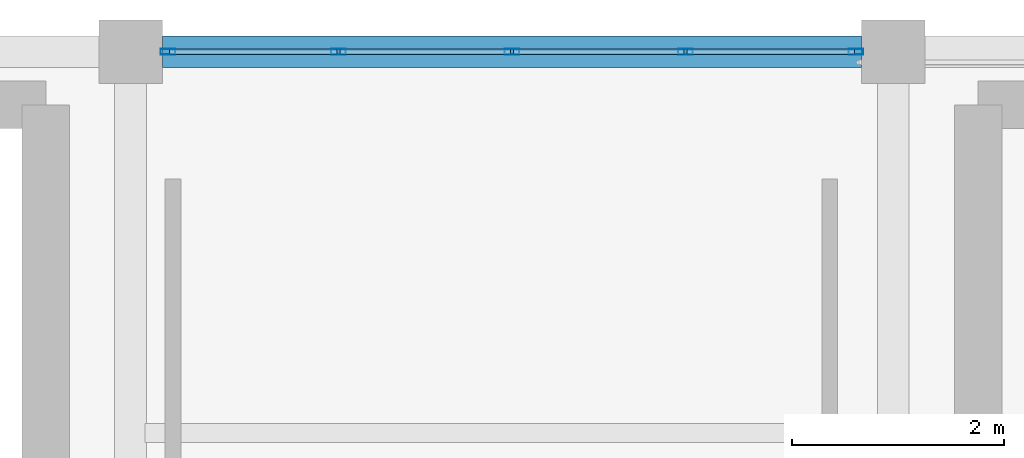
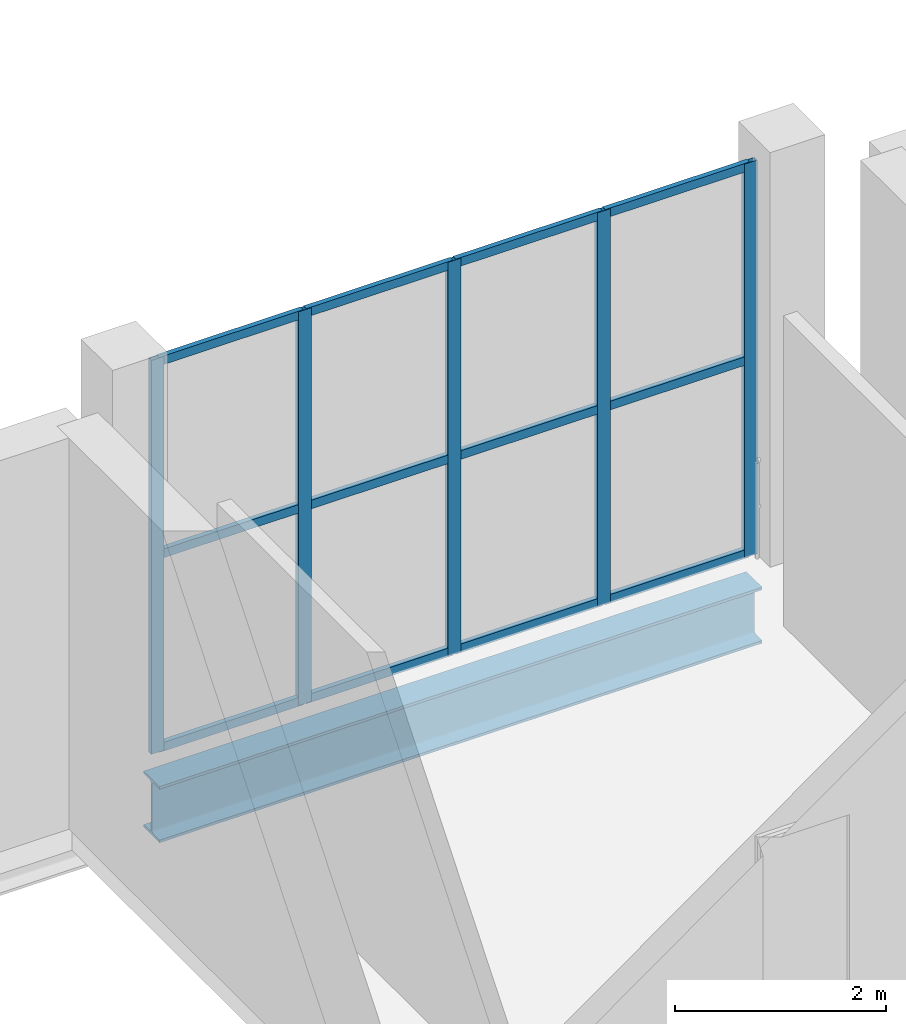
# One storey, part 69 of 105: 17 members, 1 beam, 1 element without a shape of its own.
"""IFC4 building model written with IfcOpenShell, lengths in metres."""

from ifc_helpers import new_model, si_unit, direction, frame, origin, origin_2d, place, context, subcontext, project, spatial, hollow_rectangle, i_section, extrude, material, material_profile, profile_set, type_object, element, aggregate, save


model = new_model("IFC4")

# Units and contexts
model_context = context("Model", 3, precision=1e-05, world=origin(), true_north=direction((0.0, 1.0)))
body_context = subcontext(model_context, "Body", "Model", "MODEL_VIEW")
ifc_project = project(units=[si_unit("LENGTHUNIT", "METRE"), si_unit("AREAUNIT", "SQUARE_METRE"), si_unit("VOLUMEUNIT", "CUBIC_METRE"), si_unit("PLANEANGLEUNIT", "RADIAN"), si_unit("MASSUNIT", "GRAM", prefix="KILO")], contexts=[model_context])

# Site, building, storey
site_placement = place(None, origin())
site = spatial("IfcSite", under=ifc_project, at=site_placement, CompositionType="ELEMENT")
building_placement = place(site_placement, origin())
building = spatial("IfcBuilding", under=site, at=building_placement, Name="Qandorah Velis Arena", CompositionType="ELEMENT")
storey_placement = place(building_placement, frame((0.0, 0.0, 13.800048828125)))
storey = spatial("IfcBuildingStorey", under=building, at=storey_placement, Name="L03", CompositionType="ELEMENT", Elevation=13.800048828125)

# Curtain wall, members
ifc_material_1 = material(Name="Solar-control low-E double glazing", Category="glass")
curtain_wall_type = type_object("IfcCurtainWallType", Name="ARC-CW-SYS16", PredefinedType="USERDEFINED", material=ifc_material_1)
curtain_wall_placement = place(storey_placement, origin())
curtain_wall = element("IfcCurtainWall", 1, at=curtain_wall_placement, inside=storey, type_object=curtain_wall_type, Name="Unitised curtain wall L03-088", ObjectType="UNITISED CURTAIN WALL", PredefinedType="USERDEFINED")
ifc_material_2 = material(Name="Champagne-bronze anodized aluminium 6063-T6", Category="aluminium")
ifc_material_profile_1 = material_profile(ifc_material_2, hollow_rectangle(XDim=0.054931640625, YDim=0.139892578125, WallThickness=0.0029296875, at=origin_2d()), Name="ALU MULLION 55x140")
ifc_profile_set_1 = profile_set([ifc_material_profile_1], Name="Champagne-bronze anodized aluminium 6063-T6")
member_type_1 = type_object("IfcMemberType", Name="ARC-CWM-140", PredefinedType="MULLION", material=ifc_profile_set_1)
member_1_placement = place(storey_placement, frame((43.552490234375, 129.60009765625, -0.01513671875), z_axis=(0.0, 0.0, 1.0), x_axis=(0.0, 1.0, 0.0)))
member_1 = element("IfcMember", 2, at=member_1_placement, type_object=member_type_1, Name="CW16 mullion 1", PredefinedType="MULLION", context=body_context, shape_type="SweptSolid", body=[
    extrude(hollow_rectangle(XDim=0.054931640625, YDim=0.139892578125, WallThickness=0.0029296875, at=origin_2d()), origin(), (0.0, 0.0, 1.0), 4.56005859375),
])
member_2_placement = place(storey_placement, frame((45.16259765625, 129.60009765625, -0.01513671875), z_axis=(0.0, 0.0, 1.0), x_axis=(0.0, 1.0, 0.0)))
member_2 = element("IfcMember", 3, at=member_2_placement, type_object=member_type_1, Name="CW16 mullion 2", PredefinedType="MULLION", context=body_context, shape_type="SweptSolid", body=[
    extrude(hollow_rectangle(XDim=0.054931640625, YDim=0.139892578125, WallThickness=0.0029296875, at=origin_2d()), origin(), (0.0, 0.0, 1.0), 4.56005859375),
])
member_3_placement = place(storey_placement, frame((46.800048828125, 129.60009765625, -0.01513671875), z_axis=(0.0, 0.0, 1.0), x_axis=(0.0, 1.0, 0.0)))
member_3 = element("IfcMember", 4, at=member_3_placement, type_object=member_type_1, Name="CW16 mullion 3", PredefinedType="MULLION", context=body_context, shape_type="SweptSolid", body=[
    extrude(hollow_rectangle(XDim=0.054931640625, YDim=0.139892578125, WallThickness=0.0029296875, at=origin_2d()), origin(), (0.0, 0.0, 1.0), 4.56005859375),
])
member_4_placement = place(storey_placement, frame((48.4375, 129.60009765625, -0.01513671875), z_axis=(0.0, 0.0, 1.0), x_axis=(0.0, 1.0, 0.0)))
member_4 = element("IfcMember", 5, at=member_4_placement, type_object=member_type_1, Name="CW16 mullion 4", PredefinedType="MULLION", context=body_context, shape_type="SweptSolid", body=[
    extrude(hollow_rectangle(XDim=0.054931640625, YDim=0.139892578125, WallThickness=0.0029296875, at=origin_2d()), origin(), (0.0, 0.0, 1.0), 4.56005859375),
])
member_5_placement = place(storey_placement, frame((50.047607421875, 129.60009765625, -0.01513671875), z_axis=(0.0, 0.0, 1.0), x_axis=(0.0, 1.0, 0.0)))
member_5 = element("IfcMember", 6, at=member_5_placement, type_object=member_type_1, Name="CW16 mullion 5", PredefinedType="MULLION", context=body_context, shape_type="SweptSolid", body=[
    extrude(hollow_rectangle(XDim=0.054931640625, YDim=0.139892578125, WallThickness=0.0029296875, at=origin_2d()), origin(), (0.0, 0.0, 1.0), 4.56005859375),
])
ifc_material_profile_2 = material_profile(ifc_material_2, hollow_rectangle(XDim=0.054931640625, YDim=0.10009765625, WallThickness=0.0029296875, at=origin_2d()), Name="ALU TRANSOM 55x100")
ifc_profile_set_2 = profile_set([ifc_material_profile_2], Name="Champagne-bronze anodized aluminium 6063-T6")
member_type_2 = type_object("IfcMemberType", Name="ARC-CWT-100", PredefinedType="USERDEFINED", material=ifc_profile_set_2)
member_6_placement = place(storey_placement, frame((43.568115234375, 129.60009765625, 0.02734375), z_axis=(1.0, 0.0, 0.0), x_axis=(0.0, 1.0, 0.0)))
member_6 = element("IfcMember", 7, at=member_6_placement, type_object=member_type_2, Name="CW16 transom 1.1", ObjectType="TRANSOM", PredefinedType="USERDEFINED", context=body_context, shape_type="SweptSolid", body=[
    extrude(hollow_rectangle(XDim=0.054931640625, YDim=0.10009765625, WallThickness=0.0029296875, at=origin_2d()), origin(), (0.0, 0.0, 1.0), 1.578857421875),
])
member_7_placement = place(storey_placement, frame((43.568115234375, 129.60009765625, 2.264892578125), z_axis=(1.0, 0.0, 0.0), x_axis=(0.0, 1.0, 0.0)))
member_7 = element("IfcMember", 8, at=member_7_placement, type_object=member_type_2, Name="CW16 transom 1.2", ObjectType="TRANSOM", PredefinedType="USERDEFINED", context=body_context, shape_type="SweptSolid", body=[
    extrude(hollow_rectangle(XDim=0.054931640625, YDim=0.10009765625, WallThickness=0.0029296875, at=origin_2d()), origin(), (0.0, 0.0, 1.0), 1.578857421875),
])
member_8_placement = place(storey_placement, frame((43.568115234375, 129.60009765625, 4.50244140625), z_axis=(1.0, 0.0, 0.0), x_axis=(0.0, 1.0, 0.0)))
member_8 = element("IfcMember", 9, at=member_8_placement, type_object=member_type_2, Name="CW16 transom 1.3", ObjectType="TRANSOM", PredefinedType="USERDEFINED", context=body_context, shape_type="SweptSolid", body=[
    extrude(hollow_rectangle(XDim=0.054931640625, YDim=0.10009765625, WallThickness=0.0029296875, at=origin_2d()), origin(), (0.0, 0.0, 1.0), 1.578857421875),
])
member_9_placement = place(storey_placement, frame((45.177978515625, 129.60009765625, 0.02734375), z_axis=(1.0, 0.0, 0.0), x_axis=(0.0, 1.0, 0.0)))
member_9 = element("IfcMember", 10, at=member_9_placement, type_object=member_type_2, Name="CW16 transom 2.1", ObjectType="TRANSOM", PredefinedType="USERDEFINED", context=body_context, shape_type="SweptSolid", body=[
    extrude(hollow_rectangle(XDim=0.054931640625, YDim=0.10009765625, WallThickness=0.0029296875, at=origin_2d()), origin(), (0.0, 0.0, 1.0), 1.6064453125),
])
member_10_placement = place(storey_placement, frame((45.177978515625, 129.60009765625, 2.264892578125), z_axis=(1.0, 0.0, 0.0), x_axis=(0.0, 1.0, 0.0)))
member_10 = element("IfcMember", 11, at=member_10_placement, type_object=member_type_2, Name="CW16 transom 2.2", ObjectType="TRANSOM", PredefinedType="USERDEFINED", context=body_context, shape_type="SweptSolid", body=[
    extrude(hollow_rectangle(XDim=0.054931640625, YDim=0.10009765625, WallThickness=0.0029296875, at=origin_2d()), origin(), (0.0, 0.0, 1.0), 1.6064453125),
])
member_11_placement = place(storey_placement, frame((45.177978515625, 129.60009765625, 4.50244140625), z_axis=(1.0, 0.0, 0.0), x_axis=(0.0, 1.0, 0.0)))
member_11 = element("IfcMember", 12, at=member_11_placement, type_object=member_type_2, Name="CW16 transom 2.3", ObjectType="TRANSOM", PredefinedType="USERDEFINED", context=body_context, shape_type="SweptSolid", body=[
    extrude(hollow_rectangle(XDim=0.054931640625, YDim=0.10009765625, WallThickness=0.0029296875, at=origin_2d()), origin(), (0.0, 0.0, 1.0), 1.6064453125),
])
member_12_placement = place(storey_placement, frame((46.8154296875, 129.60009765625, 0.02734375), z_axis=(1.0, 0.0, 0.0), x_axis=(0.0, 1.0, 0.0)))
member_12 = element("IfcMember", 13, at=member_12_placement, type_object=member_type_2, Name="CW16 transom 3.1", ObjectType="TRANSOM", PredefinedType="USERDEFINED", context=body_context, shape_type="SweptSolid", body=[
    extrude(hollow_rectangle(XDim=0.054931640625, YDim=0.10009765625, WallThickness=0.0029296875, at=origin_2d()), origin(), (0.0, 0.0, 1.0), 1.606689453125),
])
member_13_placement = place(storey_placement, frame((46.8154296875, 129.60009765625, 2.264892578125), z_axis=(1.0, 0.0, 0.0), x_axis=(0.0, 1.0, 0.0)))
member_13 = element("IfcMember", 14, at=member_13_placement, type_object=member_type_2, Name="CW16 transom 3.2", ObjectType="TRANSOM", PredefinedType="USERDEFINED", context=body_context, shape_type="SweptSolid", body=[
    extrude(hollow_rectangle(XDim=0.054931640625, YDim=0.10009765625, WallThickness=0.0029296875, at=origin_2d()), origin(), (0.0, 0.0, 1.0), 1.606689453125),
])
member_14_placement = place(storey_placement, frame((46.8154296875, 129.60009765625, 4.50244140625), z_axis=(1.0, 0.0, 0.0), x_axis=(0.0, 1.0, 0.0)))
member_14 = element("IfcMember", 15, at=member_14_placement, type_object=member_type_2, Name="CW16 transom 3.3", ObjectType="TRANSOM", PredefinedType="USERDEFINED", context=body_context, shape_type="SweptSolid", body=[
    extrude(hollow_rectangle(XDim=0.054931640625, YDim=0.10009765625, WallThickness=0.0029296875, at=origin_2d()), origin(), (0.0, 0.0, 1.0), 1.606689453125),
])
member_15_placement = place(storey_placement, frame((48.452880859375, 129.60009765625, 0.02734375), z_axis=(1.0, 0.0, 0.0), x_axis=(0.0, 1.0, 0.0)))
member_15 = element("IfcMember", 16, at=member_15_placement, type_object=member_type_2, Name="CW16 transom 4.1", ObjectType="TRANSOM", PredefinedType="USERDEFINED", context=body_context, shape_type="SweptSolid", body=[
    extrude(hollow_rectangle(XDim=0.054931640625, YDim=0.10009765625, WallThickness=0.0029296875, at=origin_2d()), origin(), (0.0, 0.0, 1.0), 1.5791015625),
])
member_16_placement = place(storey_placement, frame((48.452880859375, 129.60009765625, 2.264892578125), z_axis=(1.0, 0.0, 0.0), x_axis=(0.0, 1.0, 0.0)))
member_16 = element("IfcMember", 17, at=member_16_placement, type_object=member_type_2, Name="CW16 transom 4.2", ObjectType="TRANSOM", PredefinedType="USERDEFINED", context=body_context, shape_type="SweptSolid", body=[
    extrude(hollow_rectangle(XDim=0.054931640625, YDim=0.10009765625, WallThickness=0.0029296875, at=origin_2d()), origin(), (0.0, 0.0, 1.0), 1.5791015625),
])
member_17_placement = place(storey_placement, frame((48.452880859375, 129.60009765625, 4.50244140625), z_axis=(1.0, 0.0, 0.0), x_axis=(0.0, 1.0, 0.0)))
member_17 = element("IfcMember", 18, at=member_17_placement, type_object=member_type_2, Name="CW16 transom 4.3", ObjectType="TRANSOM", PredefinedType="USERDEFINED", context=body_context, shape_type="SweptSolid", body=[
    extrude(hollow_rectangle(XDim=0.054931640625, YDim=0.10009765625, WallThickness=0.0029296875, at=origin_2d()), origin(), (0.0, 0.0, 1.0), 1.5791015625),
])
aggregate(curtain_wall, [member_1, member_2, member_3, member_4, member_5, member_6, member_7, member_8, member_9, member_10, member_11, member_12, member_13, member_14, member_15, member_16, member_17])

# Beam
ifc_material_3 = material(Name="Steel S355", Category="steel")
ifc_material_profile_3 = material_profile(ifc_material_3, i_section(OverallWidth=0.300048828125, OverallDepth=0.64990234375, WebThickness=0.01611328125, FlangeThickness=0.031005859375, FilletRadius=0.027099609375, at=origin_2d()), Name="HEB 650")
ifc_profile_set_3 = profile_set([ifc_material_profile_3], Name="Steel S355")
beam_type = type_object("IfcBeamType", Name="STR-BM-HEB650", PredefinedType="BEAM", material=ifc_profile_set_3)
beam_placement = place(storey_placement, frame((43.5, 129.60009765625, -0.64501953125), z_axis=(1.0, 0.0, 0.0), x_axis=(0.0, 1.0, 0.0)))
element("IfcBeam", 19, at=beam_placement, inside=storey, type_object=beam_type, Name="Primary floor girder L03 X-168", PredefinedType="BEAM", context=body_context, shape_type="SweptSolid", body=[
    extrude(i_section(OverallWidth=0.300048828125, OverallDepth=0.64990234375, WebThickness=0.01611328125, FlangeThickness=0.031005859375, FilletRadius=0.027099609375, at=origin_2d()), origin(), (0.0, 0.0, 1.0), 6.60009765625),
])

save(model, "model.ifc")
